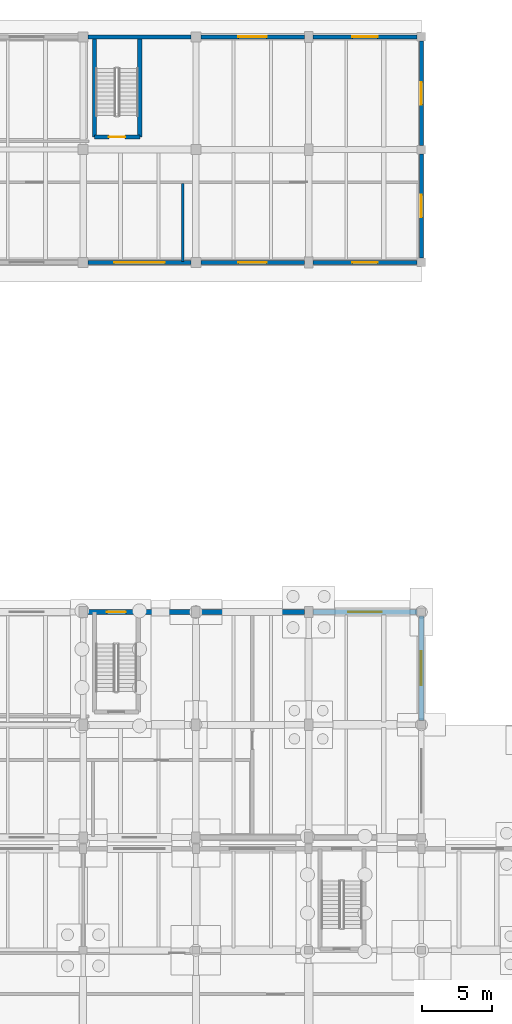
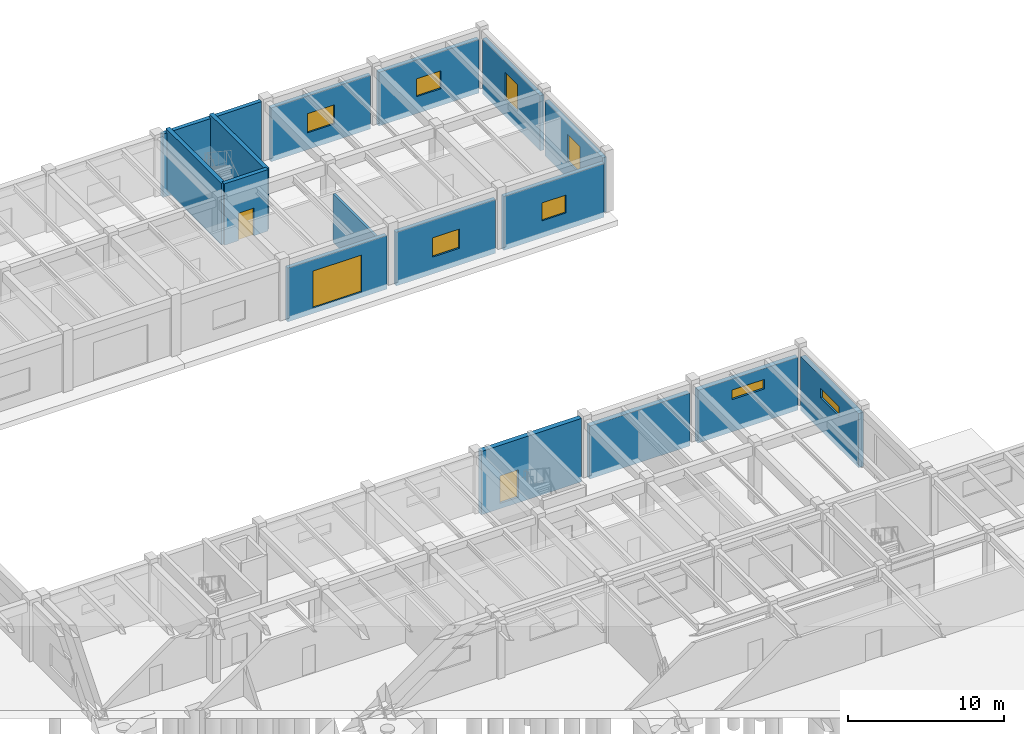
# One storey, part 44 of 64: 16 walls, 8 windows, 3 doors, 11 openings.
"""IFC4 building model written with IfcOpenShell, lengths in metres."""

from ifc_helpers import new_model, si_unit, direction, frame, frame_2d, origin, place, context, subcontext, project, spatial, rectangle, extrude, material, layer, layer_set, type_object, element, fill, save


model = new_model("IFC4")

# Units and contexts
model_context = context("Model", 3, precision=1e-05, world=origin(), true_north=direction((0.0, 1.0)))
body_context = subcontext(model_context, "Body", "Model", "MODEL_VIEW")
ifc_project = project(units=[si_unit("LENGTHUNIT", "METRE"), si_unit("AREAUNIT", "SQUARE_METRE"), si_unit("VOLUMEUNIT", "CUBIC_METRE"), si_unit("PLANEANGLEUNIT", "RADIAN"), si_unit("MASSUNIT", "GRAM", prefix="KILO")], contexts=[model_context])

# Site, building, storey
site_placement = place(None, origin())
site = spatial("IfcSite", under=ifc_project, at=site_placement, CompositionType="ELEMENT")
building_placement = place(site_placement, origin())
building = spatial("IfcBuilding", under=site, at=building_placement, Name="Tlaxcora Railside Police Headquarters", CompositionType="ELEMENT")
storey_placement = place(building_placement, origin())
storey = spatial("IfcBuildingStorey", under=building, at=storey_placement, Name="L00", CompositionType="ELEMENT", Elevation=0.0)

# Wall
ifc_material_1 = material(Name="Gypsum acoustic partition board")
ifc_layer_1 = layer(ifc_material_1, 0.175048828125, Name="Gypsum acoustic partition board")
ifc_layer_set_1 = layer_set([ifc_layer_1], Name="Gypsum acoustic partition board")
wall_type_1 = type_object("IfcWallType", Name="Interior Partition Wall IW-22", PredefinedType="PARTITIONING", material=ifc_layer_set_1)
wall_1_placement = place(storey_placement, frame((141.8798828125, 76.8798828125, 0.0), z_axis=(0.0, 0.0, 1.0), x_axis=(0.0, 1.0, 0.0)))
element("IfcWall", 1, at=wall_1_placement, inside=storey, type_object=wall_type_1, Name="V6 L00 interior partition 52", PredefinedType="PARTITIONING", context=body_context, shape_type="SweptSolid", body=[
    extrude(rectangle(XDim=5.52001953125, YDim=0.175048828125, at=frame_2d((2.760009765625, 0.0))), origin(), (0.0, 0.0, 1.0), 3.764892578125),
])

# Wall, opening, door
ifc_material_2 = material(Name="Concrete C40/50", Category="concrete")
ifc_layer_2 = layer(ifc_material_2, 0.300048828125, Name="Concrete C40/50")
ifc_layer_set_2 = layer_set([ifc_layer_2], Name="Concrete C40/50")
wall_type_2 = type_object("IfcWallType", Name="Shear Core Wall IW-28", PredefinedType="SHEAR", material=ifc_layer_set_2)
wall_2_placement = place(storey_placement, frame((135.60009765625, 85.699951171875, 0.0), z_axis=(0.0, 0.0, 1.0), x_axis=(1.0, 0.0, 0.0)))
wall_2 = element("IfcWall", 2, at=wall_2_placement, inside=storey, type_object=wall_type_2, Name="CORE-C3B L00 stair core wall S", PredefinedType="SHEAR", context=body_context, shape_type="SweptSolid", body=[
    extrude(rectangle(XDim=3.219970703125, YDim=0.300048828125, at=frame_2d((1.60986328125, 0.0))), origin(), (0.0, 0.0, 1.0), 4.800048828125),
])
opening_1_placement = place(wall_2_placement, frame((1.034912109375, 0.0, 0.0)))
opening_1 = element("IfcOpeningElement", 3, at=opening_1_placement, cuts=wall_2, Name="Opening SD-L00-026", PredefinedType="OPENING", context=body_context, shape_type="SweptSolid", body=[
    extrude(rectangle(XDim=1.14990234375, YDim=2.14990234375, at=frame_2d((0.574951171875, 1.074951171875))), frame((0.0, 0.16015625, 0.0), z_axis=(0.0, -1.0, 0.0), x_axis=(1.0, 0.0, 0.0)), (0.0, 0.0, 1.0), 0.320068359375),
])
ifc_material_3 = material(Name="Steel ASTM A992 Grade 50", Category="steel")
door_type_1 = type_object("IfcDoorType", Name="Swing or Sliding Personnel Door ID-73", OperationType="NOTDEFINED", PredefinedType="DOOR", material=ifc_material_3)
door_1_placement = place(opening_1_placement, origin())
door_1 = element("IfcDoor", 4, at=door_1_placement, inside=storey, type_object=door_type_1, Name="Stair ST8 L00 enclosure fire door", OperationType="SINGLE_SWING_RIGHT", OverallHeight=2.14990234375, OverallWidth=1.14990234375, PredefinedType="DOOR", context=body_context, shape_type="SweptSolid", body=[
    extrude(rectangle(XDim=1.14990234375, YDim=2.14990234375, at=frame_2d((0.574951171875, 1.074951171875))), frame((0.0, 0.02490234375, 0.0), z_axis=(0.0, -1.0, 0.0), x_axis=(1.0, 0.0, 0.0)), (0.0, 0.0, 1.0), 0.050048828125),
])
fill(opening_1, door_1)

# Walls
for number, where, z_axis, x_axis, name in (
    (5, (138.820068359375, 85.699951171875, 0.0), (0.0, 0.0, 1.0), (0.0, 1.0, 0.0), "CORE-C3B L00 stair core wall E"),
    (6, (135.60009765625, 92.800048828125, 0.0), (0.0, 0.0, 1.0), (0.0, -1.0, 0.0), "CORE-C3B L00 stair core wall W"),
):
    element("IfcWall", number, at=place(storey_placement, frame(where, z_axis=z_axis, x_axis=x_axis)), inside=storey, type_object=wall_type_2, Name=name, PredefinedType="SHEAR", context=body_context, shape_type="SweptSolid", body=[
        extrude(rectangle(XDim=7.10009765625, YDim=0.300048828125, at=frame_2d((3.550048828125, 0.0))), origin(), (0.0, 0.0, 1.0), 4.800048828125),
    ])

# Wall, opening, window
ifc_material_4 = material(Name="Volcanic basalt ashlar masonry", Category="masonry")
ifc_layer_3 = layer(ifc_material_4, 0.360107421875, Name="Volcanic basalt ashlar masonry")
ifc_layer_set_3 = layer_set([ifc_layer_3], Name="Volcanic basalt ashlar masonry")
wall_type_3 = type_object("IfcWallType", Name="Structural Bearing Wall EW-52", PredefinedType="SOLIDWALL", material=ifc_layer_set_3)
wall_3_placement = place(storey_placement, frame((158.800048828125, 44.300048828125, -0.419921875), z_axis=(0.0, 0.0, 1.0), x_axis=(0.0, 1.0, 0.0)))
wall_3 = element("IfcWall", 7, at=wall_3_placement, inside=storey, type_object=wall_type_3, Name="V7 L00 exterior wall 1.1", PredefinedType="SOLIDWALL", context=body_context, shape_type="SweptSolid", body=[
    extrude(rectangle(XDim=7.39990234375, YDim=0.360107421875, at=frame_2d((3.699951171875, 0.0))), origin(), (0.0, 0.0, 1.0), 4.22998046875),
])
opening_2_placement = place(wall_3_placement, frame((2.5, 0.0, 2.52001953125)))
opening_2 = element("IfcOpeningElement", 8, at=opening_2_placement, cuts=wall_3, Name="Opening WN-32", PredefinedType="OPENING", context=body_context, shape_type="SweptSolid", body=[
    extrude(rectangle(XDim=2.39990234375, YDim=0.75, at=frame_2d((1.199951171875, 0.375))), frame((0.0, 0.18994140625, 0.0), z_axis=(0.0, -1.0, 0.0), x_axis=(1.0, 0.0, 0.0)), (0.0, 0.0, 1.0), 0.380126953125),
])
ifc_material_5 = material(Name="Thermally broken low-E insulated glazing", Category="glass")
window_type_1 = type_object("IfcWindowType", Name="Exterior Framed or Circular Window WN-32", PartitioningType="SINGLE_PANEL", PredefinedType="WINDOW", material=ifc_material_5)
window_1_placement = place(opening_2_placement, origin())
window_1 = element("IfcWindow", 9, at=window_1_placement, inside=storey, type_object=window_type_1, Name="V7 L00 window 191", OverallHeight=0.75, OverallWidth=2.39990234375, PartitioningType="SINGLE_PANEL", PredefinedType="WINDOW", context=body_context, shape_type="SweptSolid", body=[
    extrude(rectangle(XDim=2.39990234375, YDim=0.75, at=frame_2d((1.199951171875, 0.375))), frame((0.0, 0.030029296875, 0.0), z_axis=(0.0, -1.0, 0.0), x_axis=(1.0, 0.0, 0.0)), (0.0, 0.0, 1.0), 0.06005859375),
])
fill(opening_2, window_1)

wall_4_placement = place(storey_placement, frame((158.5, 52.0, -0.419921875), z_axis=(0.0, 0.0, 1.0), x_axis=(-1.0, 0.0, 0.0)))
wall_4 = element("IfcWall", 10, at=wall_4_placement, inside=storey, type_object=wall_type_3, Name="V7 L00 exterior wall 2.0", PredefinedType="SOLIDWALL", context=body_context, shape_type="SweptSolid", body=[
    extrude(rectangle(XDim=7.39990234375, YDim=0.360107421875, at=frame_2d((3.699951171875, 0.0))), origin(), (0.0, 0.0, 1.0), 4.1298828125),
])
opening_3_placement = place(wall_4_placement, frame((2.5, 0.0, 2.52001953125)))
opening_3 = element("IfcOpeningElement", 11, at=opening_3_placement, cuts=wall_4, Name="Opening WN-32", PredefinedType="OPENING", context=body_context, shape_type="SweptSolid", body=[
    extrude(rectangle(XDim=2.39990234375, YDim=0.75, at=frame_2d((1.199951171875, 0.375))), frame((0.0, 0.18994140625, 0.0), z_axis=(0.0, -1.0, 0.0), x_axis=(1.0, 0.0, 0.0)), (0.0, 0.0, 1.0), 0.380126953125),
])
window_2_placement = place(opening_3_placement, origin())
window_2 = element("IfcWindow", 12, at=window_2_placement, inside=storey, type_object=window_type_1, Name="V7 L00 window 192", OverallHeight=0.75, OverallWidth=2.39990234375, PartitioningType="SINGLE_PANEL", PredefinedType="WINDOW", context=body_context, shape_type="SweptSolid", body=[
    extrude(rectangle(XDim=2.39990234375, YDim=0.75, at=frame_2d((1.199951171875, 0.375))), frame((0.0, 0.030029296875, 0.0), z_axis=(0.0, -1.0, 0.0), x_axis=(1.0, 0.0, 0.0)), (0.0, 0.0, 1.0), 0.06005859375),
])
fill(opening_3, window_2)

# Wall
wall_5_placement = place(storey_placement, frame((150.5, 52.0, -0.419921875), z_axis=(0.0, 0.0, 1.0), x_axis=(-1.0, 0.0, 0.0)))
element("IfcWall", 13, at=wall_5_placement, inside=storey, type_object=wall_type_3, Name="V7 L00 exterior wall 2.1", PredefinedType="SOLIDWALL", context=body_context, shape_type="SweptSolid", body=[
    extrude(rectangle(XDim=7.39990234375, YDim=0.360107421875, at=frame_2d((3.699951171875, 0.0))), origin(), (0.0, 0.0, 1.0), 4.1298828125),
])

# Wall, opening, door
wall_6_placement = place(storey_placement, frame((142.5, 52.0, -0.419921875), z_axis=(0.0, 0.0, 1.0), x_axis=(-1.0, 0.0, 0.0)))
wall_6 = element("IfcWall", 14, at=wall_6_placement, inside=storey, type_object=wall_type_3, Name="V7 L00 exterior wall 2.2", PredefinedType="SOLIDWALL", context=body_context, shape_type="SweptSolid", body=[
    extrude(rectangle(XDim=7.39990234375, YDim=0.360107421875, at=frame_2d((3.699951171875, 0.0))), origin(), (0.0, 0.0, 1.0), 4.949951171875),
])
opening_4_placement = place(wall_6_placement, frame((4.6650390625, 0.0, 0.419921875)))
opening_4 = element("IfcOpeningElement", 15, at=opening_4_placement, cuts=wall_6, Name="Opening EX-10", PredefinedType="OPENING", context=body_context, shape_type="SweptSolid", body=[
    extrude(rectangle(XDim=1.35009765625, YDim=2.14990234375, at=frame_2d((0.675048828125, 1.074951171875))), frame((0.0, 0.18994140625, 0.0), z_axis=(0.0, -1.0, 0.0), x_axis=(1.0, 0.0, 0.0)), (0.0, 0.0, 1.0), 0.380126953125),
])
ifc_material_6 = material(Name="Anodised aluminium framing", Category="aluminium")
door_type_2 = type_object("IfcDoorType", Name="Swing or Sliding Personnel Door ED-94", OperationType="NOTDEFINED", PredefinedType="DOOR", material=ifc_material_6)
door_2_placement = place(opening_4_placement, frame((1.35009765625, 0.0, 0.0), z_axis=(0.0, 0.0, 1.0), x_axis=(-1.0, 0.0, 0.0)))
door_2 = element("IfcDoor", 16, at=door_2_placement, inside=storey, type_object=door_type_2, Name="Exit stair ST11 direct exterior discharge door", OperationType="SINGLE_SWING_RIGHT", OverallHeight=2.14990234375, OverallWidth=1.35009765625, PredefinedType="DOOR", context=body_context, shape_type="SweptSolid", body=[
    extrude(rectangle(XDim=1.35009765625, YDim=2.14990234375, at=frame_2d((0.675048828125, 1.074951171875))), frame((0.0, 0.02490234375, 0.0), z_axis=(0.0, -1.0, 0.0), x_axis=(1.0, 0.0, 0.0)), (0.0, 0.0, 1.0), 0.050048828125),
])
fill(opening_4, door_2)

ifc_material_7 = material(Name="Pressed clay brick masonry", Category="masonry")
ifc_layer_4 = layer(ifc_material_7, 0.294921875, Name="Pressed clay brick masonry")
ifc_layer_set_4 = layer_set([ifc_layer_4], Name="Pressed clay brick masonry")
wall_type_4 = type_object("IfcWallType", Name="Structural Bearing Wall EW-74", PredefinedType="SOLIDWALL", material=ifc_layer_set_4)
wall_7_placement = place(storey_placement, frame((135.14990234375, 76.800048828125, -0.419921875), z_axis=(0.0, 0.0, 1.0), x_axis=(1.0, 0.0, 0.0)))
wall_7 = element("IfcWall", 17, at=wall_7_placement, inside=storey, type_object=wall_type_4, Name="V6 L00 exterior wall 0.4", PredefinedType="SOLIDWALL", context=body_context, shape_type="SweptSolid", body=[
    extrude(rectangle(XDim=7.300048828125, YDim=0.294921875, at=frame_2d((3.64990234375, 0.0))), origin(), (0.0, 0.0, 1.0), 4.199951171875),
])
opening_5_placement = place(wall_7_placement, frame((1.85009765625, 0.0, 0.419921875)))
opening_5 = element("IfcOpeningElement", 18, at=opening_5_placement, cuts=wall_7, Name="Opening FG-02", PredefinedType="OPENING", context=body_context, shape_type="SweptSolid", body=[
    extrude(rectangle(XDim=3.60009765625, YDim=2.89990234375, at=frame_2d((1.800048828125, 1.449951171875))), frame((0.0, 0.157470703125, 0.0), z_axis=(0.0, -1.0, 0.0), x_axis=(1.0, 0.0, 0.0)), (0.0, 0.0, 1.0), 0.31494140625),
])
door_type_3 = type_object("IfcDoorType", Name="Vehicle Security Shutter Gate ED-69", OperationType="NOTDEFINED", PredefinedType="GATE", material=ifc_material_3)
door_3_placement = place(opening_5_placement, frame((3.60009765625, 0.0, 0.0), z_axis=(0.0, 0.0, 1.0), x_axis=(-1.0, 0.0, 0.0)))
door_3 = element("IfcDoor", 19, at=door_3_placement, inside=storey, type_object=door_type_3, Name="Service vehicle shutter gate FG-02", OperationType="ROLLINGUP", OverallHeight=2.89990234375, OverallWidth=3.60009765625, PredefinedType="GATE", context=body_context, shape_type="SweptSolid", body=[
    extrude(rectangle(XDim=3.60009765625, YDim=2.89990234375, at=frame_2d((1.800048828125, 1.449951171875))), frame((0.0, 0.02490234375, 0.0), z_axis=(0.0, -1.0, 0.0), x_axis=(1.0, 0.0, 0.0)), (0.0, 0.0, 1.0), 0.050048828125),
])
fill(opening_5, door_3)

# Wall, opening, window
wall_8_placement = place(storey_placement, frame((143.14990234375, 76.800048828125, -0.419921875), z_axis=(0.0, 0.0, 1.0), x_axis=(1.0, 0.0, 0.0)))
wall_8 = element("IfcWall", 20, at=wall_8_placement, inside=storey, type_object=wall_type_4, Name="V6 L00 exterior wall 0.5", PredefinedType="SOLIDWALL", context=body_context, shape_type="SweptSolid", body=[
    extrude(rectangle(XDim=7.35009765625, YDim=0.294921875, at=frame_2d((3.675048828125, 0.0))), origin(), (0.0, 0.0, 1.0), 4.199951171875),
])
opening_6_placement = place(wall_8_placement, frame((2.675048828125, 0.0, 1.320068359375)))
opening_6 = element("IfcOpeningElement", 21, at=opening_6_placement, cuts=wall_8, Name="Opening WN-42", PredefinedType="OPENING", context=body_context, shape_type="SweptSolid", body=[
    extrude(rectangle(XDim=2.0, YDim=1.5, at=frame_2d((1.0, 0.75))), frame((0.0, 0.157470703125, 0.0), z_axis=(0.0, -1.0, 0.0), x_axis=(1.0, 0.0, 0.0)), (0.0, 0.0, 1.0), 0.31494140625),
])
window_type_2 = type_object("IfcWindowType", Name="Exterior Framed or Circular Window WN-42", PartitioningType="SINGLE_PANEL", PredefinedType="WINDOW", material=ifc_material_5)
window_3_placement = place(opening_6_placement, origin())
window_3 = element("IfcWindow", 22, at=window_3_placement, inside=storey, type_object=window_type_2, Name="V6 L00 window 158", OverallHeight=1.5, OverallWidth=2.0, PartitioningType="SINGLE_PANEL", PredefinedType="WINDOW", context=body_context, shape_type="SweptSolid", body=[
    extrude(rectangle(XDim=2.0, YDim=1.5, at=frame_2d((1.0, 0.75))), frame((0.0, 0.030029296875, 0.0), z_axis=(0.0, -1.0, 0.0), x_axis=(1.0, 0.0, 0.0)), (0.0, 0.0, 1.0), 0.06005859375),
])
fill(opening_6, window_3)

wall_9_placement = place(storey_placement, frame((151.10009765625, 76.800048828125, -0.419921875), z_axis=(0.0, 0.0, 1.0), x_axis=(1.0, 0.0, 0.0)))
wall_9 = element("IfcWall", 23, at=wall_9_placement, inside=storey, type_object=wall_type_4, Name="V6 L00 exterior wall 0.6", PredefinedType="SOLIDWALL", context=body_context, shape_type="SweptSolid", body=[
    extrude(rectangle(XDim=7.39990234375, YDim=0.294921875, at=frame_2d((3.699951171875, 0.0))), origin(), (0.0, 0.0, 1.0), 4.199951171875),
])
opening_7_placement = place(wall_9_placement, frame((2.800048828125, 0.0, 1.320068359375)))
opening_7 = element("IfcOpeningElement", 24, at=opening_7_placement, cuts=wall_9, Name="Opening WN-70", PredefinedType="OPENING", context=body_context, shape_type="SweptSolid", body=[
    extrude(rectangle(XDim=1.800048828125, YDim=1.39990234375, at=frame_2d((0.89990234375, 0.699951171875))), frame((0.0, 0.157470703125, 0.0), z_axis=(0.0, -1.0, 0.0), x_axis=(1.0, 0.0, 0.0)), (0.0, 0.0, 1.0), 0.31494140625),
])
window_type_3 = type_object("IfcWindowType", Name="Exterior Framed or Circular Window WN-70", PartitioningType="SINGLE_PANEL", PredefinedType="WINDOW", material=ifc_material_5)
window_4_placement = place(opening_7_placement, origin())
window_4 = element("IfcWindow", 25, at=window_4_placement, inside=storey, type_object=window_type_3, Name="V6 L00 window 159", OverallHeight=1.39990234375, OverallWidth=1.800048828125, PartitioningType="SINGLE_PANEL", PredefinedType="WINDOW", context=body_context, shape_type="SweptSolid", body=[
    extrude(rectangle(XDim=1.800048828125, YDim=1.39990234375, at=frame_2d((0.89990234375, 0.699951171875))), frame((0.0, 0.030029296875, 0.0), z_axis=(0.0, -1.0, 0.0), x_axis=(1.0, 0.0, 0.0)), (0.0, 0.0, 1.0), 0.06005859375),
])
fill(opening_7, window_4)

wall_10_placement = place(storey_placement, frame((158.800048828125, 77.10009765625, -0.419921875), z_axis=(0.0, 0.0, 1.0), x_axis=(0.0, 1.0, 0.0)))
wall_10 = element("IfcWall", 26, at=wall_10_placement, inside=storey, type_object=wall_type_4, Name="V6 L00 exterior wall 1.0", PredefinedType="SOLIDWALL", context=body_context, shape_type="SweptSolid", body=[
    extrude(rectangle(XDim=7.39990234375, YDim=0.294921875, at=frame_2d((3.699951171875, 0.0))), origin(), (0.0, 0.0, 1.0), 4.2998046875),
])
opening_8_placement = place(wall_10_placement, frame((2.89990234375, 0.0, 1.320068359375)))
opening_8 = element("IfcOpeningElement", 27, at=opening_8_placement, cuts=wall_10, Name="Opening WN-54", PredefinedType="OPENING", context=body_context, shape_type="SweptSolid", body=[
    extrude(rectangle(XDim=1.60009765625, YDim=2.10009765625, at=frame_2d((0.800048828125, 1.050048828125))), frame((0.0, 0.157470703125, 0.0), z_axis=(0.0, -1.0, 0.0), x_axis=(1.0, 0.0, 0.0)), (0.0, 0.0, 1.0), 0.31494140625),
])
window_type_4 = type_object("IfcWindowType", Name="Exterior Framed or Circular Window WN-54", PartitioningType="SINGLE_PANEL", PredefinedType="WINDOW", material=ifc_material_5)
window_5_placement = place(opening_8_placement, origin())
window_5 = element("IfcWindow", 28, at=window_5_placement, inside=storey, type_object=window_type_4, Name="V6 L00 window 160", OverallHeight=2.10009765625, OverallWidth=1.60009765625, PartitioningType="SINGLE_PANEL", PredefinedType="WINDOW", context=body_context, shape_type="SweptSolid", body=[
    extrude(rectangle(XDim=1.60009765625, YDim=2.10009765625, at=frame_2d((0.800048828125, 1.050048828125))), frame((0.0, 0.030029296875, 0.0), z_axis=(0.0, -1.0, 0.0), x_axis=(1.0, 0.0, 0.0)), (0.0, 0.0, 1.0), 0.06005859375),
])
fill(opening_8, window_5)

wall_11_placement = place(storey_placement, frame((158.800048828125, 85.10009765625, -0.419921875), z_axis=(0.0, 0.0, 1.0), x_axis=(0.0, 1.0, 0.0)))
wall_11 = element("IfcWall", 29, at=wall_11_placement, inside=storey, type_object=wall_type_4, Name="V6 L00 exterior wall 1.1", PredefinedType="SOLIDWALL", context=body_context, shape_type="SweptSolid", body=[
    extrude(rectangle(XDim=7.39990234375, YDim=0.294921875, at=frame_2d((3.699951171875, 0.0))), origin(), (0.0, 0.0, 1.0), 4.2998046875),
])
opening_9_placement = place(wall_11_placement, frame((2.89990234375, 0.0, 1.320068359375)))
opening_9 = element("IfcOpeningElement", 30, at=opening_9_placement, cuts=wall_11, Name="Opening WN-54", PredefinedType="OPENING", context=body_context, shape_type="SweptSolid", body=[
    extrude(rectangle(XDim=1.60009765625, YDim=2.10009765625, at=frame_2d((0.800048828125, 1.050048828125))), frame((0.0, 0.157470703125, 0.0), z_axis=(0.0, -1.0, 0.0), x_axis=(1.0, 0.0, 0.0)), (0.0, 0.0, 1.0), 0.31494140625),
])
window_6_placement = place(opening_9_placement, origin())
window_6 = element("IfcWindow", 31, at=window_6_placement, inside=storey, type_object=window_type_4, Name="V6 L00 window 161", OverallHeight=2.10009765625, OverallWidth=1.60009765625, PartitioningType="SINGLE_PANEL", PredefinedType="WINDOW", context=body_context, shape_type="SweptSolid", body=[
    extrude(rectangle(XDim=1.60009765625, YDim=2.10009765625, at=frame_2d((0.800048828125, 1.050048828125))), frame((0.0, 0.030029296875, 0.0), z_axis=(0.0, -1.0, 0.0), x_axis=(1.0, 0.0, 0.0)), (0.0, 0.0, 1.0), 0.06005859375),
])
fill(opening_9, window_6)

wall_12_placement = place(storey_placement, frame((158.5, 92.800048828125, -0.419921875), z_axis=(0.0, 0.0, 1.0), x_axis=(-1.0, 0.0, 0.0)))
wall_12 = element("IfcWall", 32, at=wall_12_placement, inside=storey, type_object=wall_type_4, Name="V6 L00 exterior wall 2.0", PredefinedType="SOLIDWALL", context=body_context, shape_type="SweptSolid", body=[
    extrude(rectangle(XDim=7.39990234375, YDim=0.294921875, at=frame_2d((3.699951171875, 0.0))), origin(), (0.0, 0.0, 1.0), 4.199951171875),
])
opening_10_placement = place(wall_12_placement, frame((2.800048828125, 0.0, 1.320068359375)))
opening_10 = element("IfcOpeningElement", 33, at=opening_10_placement, cuts=wall_12, Name="Opening WN-70", PredefinedType="OPENING", context=body_context, shape_type="SweptSolid", body=[
    extrude(rectangle(XDim=1.800048828125, YDim=1.39990234375, at=frame_2d((0.89990234375, 0.699951171875))), frame((0.0, 0.157470703125, 0.0), z_axis=(0.0, -1.0, 0.0), x_axis=(1.0, 0.0, 0.0)), (0.0, 0.0, 1.0), 0.31494140625),
])
window_7_placement = place(opening_10_placement, origin())
window_7 = element("IfcWindow", 34, at=window_7_placement, inside=storey, type_object=window_type_3, Name="V6 L00 window 162", OverallHeight=1.39990234375, OverallWidth=1.800048828125, PartitioningType="SINGLE_PANEL", PredefinedType="WINDOW", context=body_context, shape_type="SweptSolid", body=[
    extrude(rectangle(XDim=1.800048828125, YDim=1.39990234375, at=frame_2d((0.89990234375, 0.699951171875))), frame((0.0, 0.030029296875, 0.0), z_axis=(0.0, -1.0, 0.0), x_axis=(1.0, 0.0, 0.0)), (0.0, 0.0, 1.0), 0.06005859375),
])
fill(opening_10, window_7)

wall_13_placement = place(storey_placement, frame((150.5, 92.800048828125, -0.419921875), z_axis=(0.0, 0.0, 1.0), x_axis=(-1.0, 0.0, 0.0)))
wall_13 = element("IfcWall", 35, at=wall_13_placement, inside=storey, type_object=wall_type_4, Name="V6 L00 exterior wall 2.1", PredefinedType="SOLIDWALL", context=body_context, shape_type="SweptSolid", body=[
    extrude(rectangle(XDim=7.35009765625, YDim=0.294921875, at=frame_2d((3.675048828125, 0.0))), origin(), (0.0, 0.0, 1.0), 4.199951171875),
])
opening_11_placement = place(wall_13_placement, frame((2.675048828125, 0.0, 1.320068359375)))
opening_11 = element("IfcOpeningElement", 36, at=opening_11_placement, cuts=wall_13, Name="Opening WN-42", PredefinedType="OPENING", context=body_context, shape_type="SweptSolid", body=[
    extrude(rectangle(XDim=2.0, YDim=1.5, at=frame_2d((1.0, 0.75))), frame((0.0, 0.157470703125, 0.0), z_axis=(0.0, -1.0, 0.0), x_axis=(1.0, 0.0, 0.0)), (0.0, 0.0, 1.0), 0.31494140625),
])
window_8_placement = place(opening_11_placement, origin())
window_8 = element("IfcWindow", 37, at=window_8_placement, inside=storey, type_object=window_type_2, Name="V6 L00 window 163", OverallHeight=1.5, OverallWidth=2.0, PartitioningType="SINGLE_PANEL", PredefinedType="WINDOW", context=body_context, shape_type="SweptSolid", body=[
    extrude(rectangle(XDim=2.0, YDim=1.5, at=frame_2d((1.0, 0.75))), frame((0.0, 0.030029296875, 0.0), z_axis=(0.0, -1.0, 0.0), x_axis=(1.0, 0.0, 0.0)), (0.0, 0.0, 1.0), 0.06005859375),
])
fill(opening_11, window_8)

# Wall
wall_14_placement = place(storey_placement, frame((142.449951171875, 92.800048828125, -0.419921875), z_axis=(0.0, 0.0, 1.0), x_axis=(-1.0, 0.0, 0.0)))
element("IfcWall", 38, at=wall_14_placement, inside=storey, type_object=wall_type_4, Name="V6 L00 exterior wall 2.2", PredefinedType="SOLIDWALL", context=body_context, shape_type="SweptSolid", body=[
    extrude(rectangle(XDim=7.300048828125, YDim=0.294921875, at=frame_2d((3.64990234375, 0.0))), origin(), (0.0, 0.0, 1.0), 4.949951171875),
])

save(model, "model.ifc")
